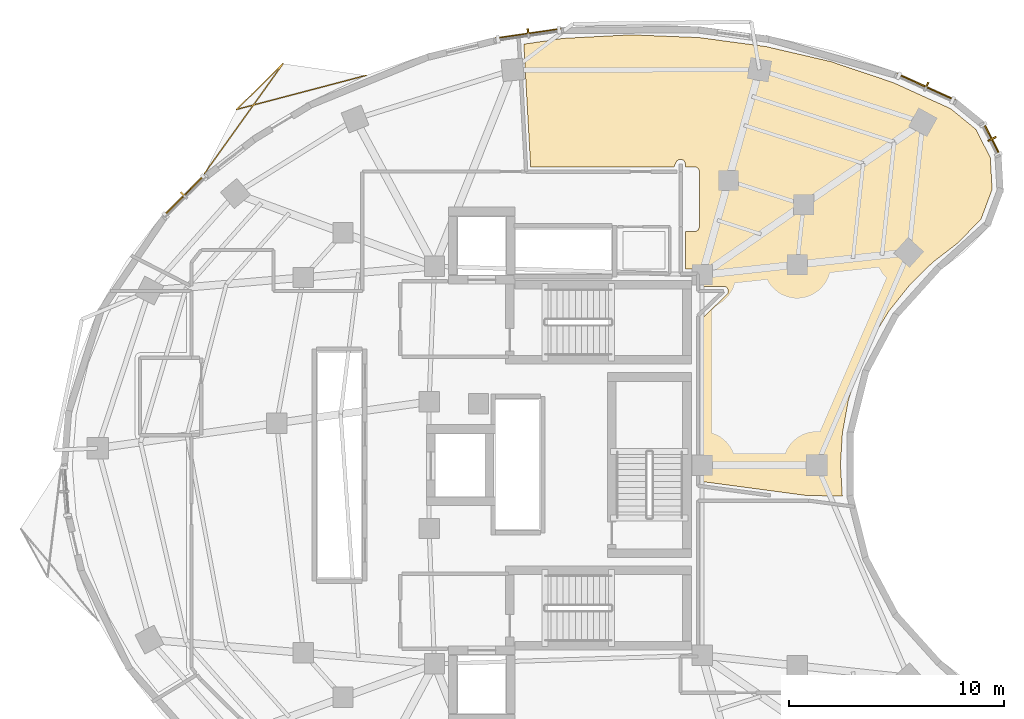
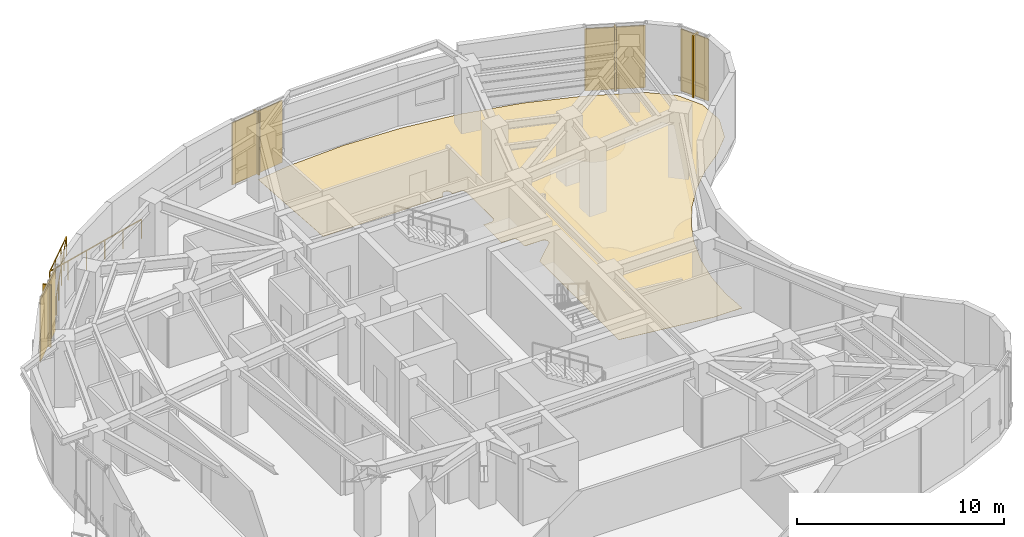
# One storey, part 13 of 13: 8 shading devices, 1 covering, 1 railing.
"""IFC4 building model written with IfcOpenShell, lengths in metres."""

from ifc_helpers import new_model, si_unit, direction, frame, origin, origin_2d, place, context, subcontext, project, spatial, polyline, rectangle, outline, extrude, material, layer, layer_set, type_object, element, save


model = new_model("IFC4")

# Units and contexts
model_context = context("Model", 3, precision=1e-05, world=origin(), true_north=direction((0.0, 1.0)))
body_context = subcontext(model_context, "Body", "Model", "MODEL_VIEW")
ifc_project = project(units=[si_unit("LENGTHUNIT", "METRE"), si_unit("AREAUNIT", "SQUARE_METRE"), si_unit("VOLUMEUNIT", "CUBIC_METRE"), si_unit("PLANEANGLEUNIT", "RADIAN"), si_unit("MASSUNIT", "GRAM", prefix="KILO")], contexts=[model_context])

# Site, building, storey
site_placement = place(None, origin())
site = spatial("IfcSite", under=ifc_project, at=site_placement, CompositionType="ELEMENT")
building_placement = place(site_placement, origin())
building = spatial("IfcBuilding", under=site, at=building_placement, Name="Korentha Bioscience Tower", CompositionType="ELEMENT")
storey_placement = place(building_placement, frame((0.0, 0.0, 175.199951171875)))
storey = spatial("IfcBuildingStorey", under=building, at=storey_placement, Name="L40", CompositionType="ELEMENT", Elevation=175.199951171875)

# Railing
ifc_material_1 = material(Name="Laminated Tempered Safety Glass", Category="glass")
railing_type = type_object("IfcRailingType", Name="Laminated Glass Balcony Guardrail 1150", PredefinedType="BALUSTRADE", material=ifc_material_1)
railing_placement = place(storey_placement, frame((21.907470703125, 45.128662109375, 0.0)))
element("IfcRailing", 1, at=railing_placement, inside=storey, type_object=railing_type, Name="L40 Balcony Guardrail 01", PredefinedType="BALUSTRADE", context=body_context, shape_type="SweptSolid", body=[
    extrude(rectangle(XDim=0.048095703125, YDim=0.048095703125, at=origin_2d()), frame((0.0, 0.0, 1.1259765625), z_axis=(-0.967203698671, -0.254001978882, 0.0), x_axis=(0.254001978882, -0.967203698671, 0.0)), (0.0, 0.0, 1.0), 6.213134765625),
    extrude(rectangle(XDim=0.048095703125, YDim=0.048095703125, at=origin_2d()), frame((-6.00927734375, -1.578125, 1.1259765625), z_axis=(0.711366586149, 0.702821157984, 0.0), x_axis=(-0.702821157984, 0.711366586149, 0.0)), (0.0, 0.0, 1.0), 3.0283203125),
    extrude(rectangle(XDim=0.048095703125, YDim=0.048095703125, at=origin_2d()), frame((-3.85498046875, 0.55029296875, 1.1259765625), z_axis=(-0.581843464557, -0.813300794757, 0.0), x_axis=(0.813300794757, -0.581843464557, 0.0)), (0.0, 0.0, 1.0), 6.2939453125),
    extrude(rectangle(XDim=0.0419921875, YDim=0.0419921875, at=origin_2d()), origin(), (0.0, 0.0, 1.0), 1.101806640625),
    extrude(rectangle(XDim=0.0419921875, YDim=0.0419921875, at=origin_2d()), frame((-1.201904296875, -0.315673828125, 0.0)), (0.0, 0.0, 1.0), 1.101806640625),
    extrude(rectangle(XDim=0.0419921875, YDim=0.0419921875, at=origin_2d()), frame((-2.40380859375, -0.63134765625, 0.0)), (0.0, 0.0, 1.0), 1.101806640625),
    extrude(rectangle(XDim=0.0419921875, YDim=0.0419921875, at=origin_2d()), frame((-3.60546875, -0.94677734375, 0.0)), (0.0, 0.0, 1.0), 1.101806640625),
    extrude(rectangle(XDim=0.0419921875, YDim=0.0419921875, at=origin_2d()), frame((-4.807373046875, -1.262451171875, 0.0)), (0.0, 0.0, 1.0), 1.101806640625),
    extrude(rectangle(XDim=0.0419921875, YDim=0.0419921875, at=origin_2d()), frame((-6.00927734375, -1.578125, 0.0)), (0.0, 0.0, 1.0), 1.101806640625),
    extrude(rectangle(XDim=0.0419921875, YDim=0.0419921875, at=origin_2d()), frame((-5.291259765625, -0.86865234375, 0.0)), (0.0, 0.0, 1.0), 1.101806640625),
    extrude(rectangle(XDim=0.0419921875, YDim=0.0419921875, at=origin_2d()), frame((-4.572998046875, -0.1591796875, 0.0)), (0.0, 0.0, 1.0), 1.101806640625),
    extrude(rectangle(XDim=0.0419921875, YDim=0.0419921875, at=origin_2d()), frame((-3.85498046875, 0.55029296875, 0.0)), (0.0, 0.0, 1.0), 1.101806640625),
    extrude(rectangle(XDim=0.0419921875, YDim=0.0419921875, at=origin_2d()), frame((-4.58740234375, -0.473388671875, 0.0)), (0.0, 0.0, 1.0), 1.101806640625),
    extrude(rectangle(XDim=0.0419921875, YDim=0.0419921875, at=origin_2d()), frame((-5.31982421875, -1.497314453125, 0.0)), (0.0, 0.0, 1.0), 1.101806640625),
    extrude(rectangle(XDim=0.0419921875, YDim=0.0419921875, at=origin_2d()), frame((-6.05224609375, -2.52099609375, 0.0)), (0.0, 0.0, 1.0), 1.101806640625),
    extrude(rectangle(XDim=0.0419921875, YDim=0.0419921875, at=origin_2d()), frame((-6.78466796875, -3.544921875, 0.0)), (0.0, 0.0, 1.0), 1.101806640625),
    extrude(rectangle(XDim=0.0419921875, YDim=0.0419921875, at=origin_2d()), frame((-7.51708984375, -4.568603515625, 0.0)), (0.0, 0.0, 1.0), 1.101806640625),
])

# Shading devices
ifc_material_2 = material(Name="Perforated Stone-Ceramic Composite", Category="masonry")
ifc_layer_1 = layer(ifc_material_2, 0.06494140625, Name="Perforated Stone-Ceramic Composite")
ifc_layer_set_1 = layer_set([ifc_layer_1], Name="Perforated Stone-Ceramic Composite (CS-01)")
shading_device_type_1 = type_object("IfcShadingDeviceType", Name="Perforated Stone-Ceramic Solar Screen Panel 65", PredefinedType="USERDEFINED", material=ifc_layer_set_1)
shading_device_1_placement = place(storey_placement, frame((47.978271484375, 44.59423828125, 0.0), z_axis=(0.0, 0.0, 1.0), x_axis=(-0.910644398392, 0.413190972406, 0.0)))
element("IfcShadingDevice", 2, at=shading_device_1_placement, inside=storey, type_object=shading_device_type_1, Name="CW-L40-01 Perforated Stone-Ceramic Solar Screen", ObjectType="SCREEN", PredefinedType="USERDEFINED", context=body_context, shape_type="SweptSolid", body=[
    extrude(rectangle(XDim=2.935302734375, YDim=0.06494140625, at=origin_2d()), origin(), (0.0, 0.0, 1.0), 3.64990234375),
])
shading_device_2_placement = place(storey_placement, frame((29.470703125, 47.073974609375, 0.0), z_axis=(0.0, 0.0, 1.0), x_axis=(-0.989461919888, -0.144793332342, 0.0)))
element("IfcShadingDevice", 3, at=shading_device_2_placement, inside=storey, type_object=shading_device_type_1, Name="CW-L40-07 Perforated Stone-Ceramic Solar Screen", ObjectType="SCREEN", PredefinedType="USERDEFINED", context=body_context, shape_type="SweptSolid", body=[
    extrude(rectangle(XDim=3.086669921875, YDim=0.06494140625, at=origin_2d()), origin(), (0.0, 0.0, 1.0), 3.64990234375),
])
shading_device_3_placement = place(storey_placement, frame((13.447021484375, 39.5439453125, 0.0), z_axis=(0.0, 0.0, 1.0), x_axis=(-0.711460557971, -0.702726030862, 0.0)))
element("IfcShadingDevice", 4, at=shading_device_3_placement, inside=storey, type_object=shading_device_type_1, Name="CW-L40-13 Perforated Stone-Ceramic Solar Screen", ObjectType="SCREEN", PredefinedType="USERDEFINED", context=body_context, shape_type="SweptSolid", body=[
    extrude(rectangle(XDim=2.6708984375, YDim=0.06494140625, at=origin_2d()), origin(), (0.0, 0.0, 1.0), 3.64990234375),
])
shading_device_4_placement = place(storey_placement, frame((51.02587890625, 42.170166015625, 0.0), z_axis=(0.0, 0.0, 1.0), x_axis=(-0.45428845847, 0.890854643868, 0.0)))
element("IfcShadingDevice", 5, at=shading_device_4_placement, inside=storey, type_object=shading_device_type_1, Name="CW-L40-61 Perforated Stone-Ceramic Solar Screen", ObjectType="SCREEN", PredefinedType="USERDEFINED", context=body_context, shape_type="SweptSolid", body=[
    extrude(rectangle(XDim=1.591796875, YDim=0.06494140625, at=origin_2d()), origin(), (0.0, 0.0, 1.0), 3.64990234375),
])

# Covering
ifc_material_3 = material(Name="Chemical-Resistant Epoxy Resin", Category="polymer")
ifc_layer_2 = layer(ifc_material_3, 0.011962890625, Name="Chemical-Resistant Epoxy Resin")
ifc_layer_set_2 = layer_set([ifc_layer_2], Name="Chemical-Resistant Epoxy Resin (FL-EPX)")
covering_type = type_object("IfcCoveringType", Name="Seamless Epoxy Laboratory Flooring 12", PredefinedType="FLOORING", material=ifc_layer_set_2)
covering_placement = place(storey_placement, origin())
element("IfcCovering", 6, at=covering_placement, inside=storey, type_object=covering_type, Name="L40 Glassware Autoclave Wash Alcove 05 Floor Finish", PredefinedType="FLOORING", context=body_context, shape_type="SweptSolid", body=[
    extrude(outline(polyline([(31.088623046875, 46.85595703125), (34.24365234375, 47.02099609375), (36.5263671875, 46.928955078125), (37.40185546875, 46.893798828125), (40.516357421875, 46.476318359375), (43.541748046875, 45.775146484375), (46.43359375, 44.801025390625), (49.11376953125, 43.5849609375), (50.289306640625, 42.6240234375), (50.96044921875, 41.307861328125), (51.04541015625, 39.832763671875), (50.530029296875, 38.447998046875), (49.452392578125, 37.33740234375), (48.28173828125, 36.435791015625), (47.217529296875, 35.390380859375), (46.2431640625, 34.16552734375), (45.443359375, 32.85498046875), (44.814697265625, 31.469482421875), (44.35400390625, 29.997802734375), (44.079345703125, 28.494384765625), (43.989501953125, 27.017578125), (44.0751953125, 25.572021484375), (42.479736328125, 25.577880859375), (37.580078125, 26.23046875), (37.580078125, 33.8564453125), (38.712158203125, 34.944091796875), (38.759033203125, 35.018798828125), (38.773193359375, 35.10595703125), (38.760986328125, 35.17138671875), (38.716552734375, 35.2470703125), (38.665283203125, 35.289794921875), (38.582763671875, 35.319580078125), (37.580078125, 35.322021484375), (37.57958984375, 35.911865234375), (37.55810546875, 35.997802734375), (37.52001953125, 36.0546875), (37.44873046875, 36.107666015625), (37.38330078125, 36.127685546875), (36.77197265625, 36.1298828125), (36.77197265625, 37.8701171875), (37.25634765625, 37.876953125), (37.37060546875, 37.94580078125), (37.427490234375, 38.066650390625), (37.429931640625, 40.64990234375), (37.416748046875, 40.72705078125), (37.35400390625, 40.82080078125), (37.25537109375, 40.873291015625), (36.77197265625, 40.8798828125), (36.769775390625, 41.038818359375), (36.740966796875, 41.12060546875), (36.665771484375, 41.197265625), (36.5419921875, 41.23046875), (36.45751953125, 41.21142578125), (36.372802734375, 41.146240234375), (36.243408203125, 40.8798828125), (29.57373046875, 40.8798828125), (29.25732421875, 46.587890625), (31.088623046875, 46.85595703125)])), origin(), (0.0, 0.0, 1.0), 0.011962890625),
])

# Shading devices
ifc_material_4 = material(Name="Honed Travertine Limestone", Category="masonry")
ifc_layer_3 = layer(ifc_material_4, 0.080078125, Name="Honed Travertine Limestone")
ifc_layer_set_3 = layer_set([ifc_layer_3], Name="Honed Travertine Limestone (CS-02)")
shading_device_type_2 = type_object("IfcShadingDeviceType", Name="Vertical Honed Limestone Sunshade Fin 80x420", PredefinedType="USERDEFINED", material=ifc_layer_set_3)
for number, where, z_axis, x_axis, name in (
    (7, (47.986572265625, 44.612548828125, 0.0), (0.0, 0.0, 1.0), (-0.910644398392, 0.413190972406, 0.0), "CW-L40-01 Limestone Sunshade Fin"),
    (8, (29.4677734375, 47.09375, 0.0), (0.0, 0.0, 1.0), (-0.989461919888, -0.144793332342, 0.0), "CW-L40-07 Limestone Sunshade Fin"),
    (9, (13.43310546875, 39.55810546875, 0.0), (0.0, 0.0, 1.0), (-0.711460557971, -0.702726030862, 0.0), "CW-L40-13 Limestone Sunshade Fin"),
    (10, (51.043701171875, 42.17919921875, 0.0), (0.0, 0.0, 1.0), (-0.45428845847, 0.890854643868, 0.0), "CW-L40-61 Limestone Sunshade Fin"),
):
    element("IfcShadingDevice", number, at=place(storey_placement, frame(where, z_axis=z_axis, x_axis=x_axis)), inside=storey, type_object=shading_device_type_2, Name=name, ObjectType="SCREEN", PredefinedType="USERDEFINED", context=body_context, shape_type="SweptSolid", body=[
        extrude(rectangle(XDim=0.080078125, YDim=0.419921875, at=origin_2d()), origin(), (0.0, 0.0, 1.0), 3.64990234375),
    ])

save(model, "model.ifc")
